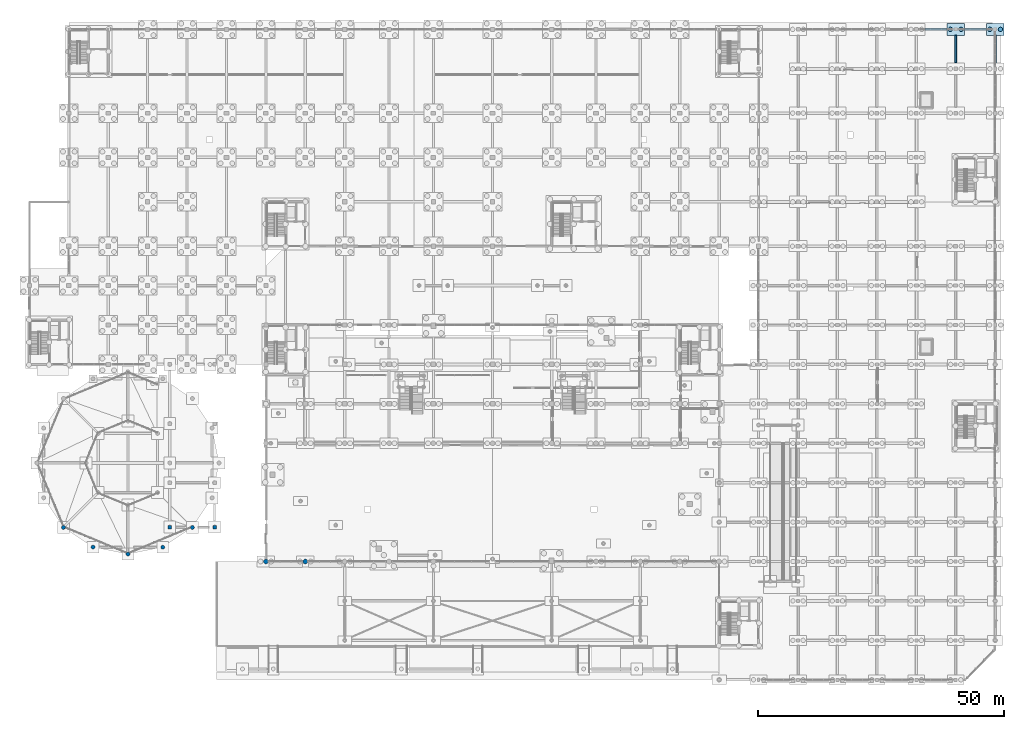
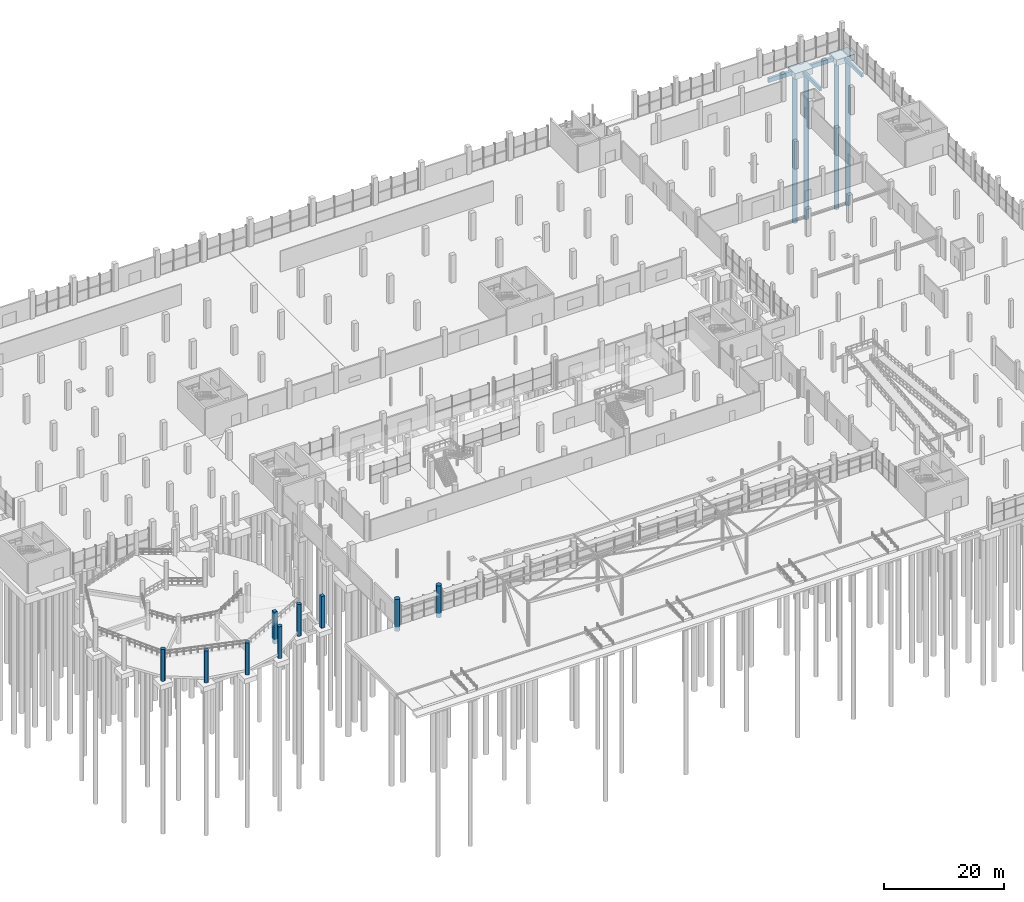
# One storey, part 12 of 98: 9 columns, 6 footings, 4 piles.
"""IFC4 building model written with IfcOpenShell, lengths in metres."""

from ifc_helpers import new_model, si_unit, derived_unit, direction, frame, origin, origin_2d, place, context, subcontext, project, spatial, rectangle, circle, extrude, material, layer, layer_set, material_profile, profile_set, type_object, element, save


model = new_model("IFC4")

# Units and contexts
model_context = context("Model", 3, precision=1e-05, world=origin(), true_north=direction((0.0, 1.0)))
body_context = subcontext(model_context, "Body", "Model", "MODEL_VIEW")
ifc_project = project(units=[si_unit("LENGTHUNIT", "METRE"), si_unit("AREAUNIT", "SQUARE_METRE"), si_unit("VOLUMEUNIT", "CUBIC_METRE"), si_unit("PLANEANGLEUNIT", "RADIAN"), si_unit("MASSUNIT", "GRAM", prefix="KILO"), si_unit("THERMODYNAMICTEMPERATUREUNIT", "KELVIN"), derived_unit("THERMALTRANSMITTANCEUNIT", [(si_unit("POWERUNIT", "WATT"), 1), (si_unit("AREAUNIT", "SQUARE_METRE"), -1), (si_unit("THERMODYNAMICTEMPERATUREUNIT", "KELVIN"), -1)])], contexts=[model_context])

# Site, building, storey
site_placement = place(None, origin())
site = spatial("IfcSite", under=ifc_project, at=site_placement, CompositionType="ELEMENT")
building_placement = place(site_placement, origin())
building = spatial("IfcBuilding", under=site, at=building_placement, Name="Haiyu Intermodal Mobility Hub", CompositionType="ELEMENT")
storey_placement = place(building_placement, origin())
storey = spatial("IfcBuildingStorey", under=building, at=storey_placement, Name="L00", CompositionType="ELEMENT", Elevation=0.0)

# Footings
ifc_material = material(Name="Concrete C40", Category="concrete")
ifc_layer = layer(ifc_material, 1.199951171875)
ifc_layer_set = layer_set([ifc_layer], Name="Concrete C40")
footing_type_1 = type_object("IfcFootingType", Name="CAP-PC12", PredefinedType="PILE_CAP", material=ifc_layer_set)
for number, where, z_axis, x_axis, name in (
    (1, (202.0, 148.0, -2.10009765625), (0.0, 0.0, 1.0), (1.0, 0.0, 0.0), "Pile Cap CAP-V6-23S"),
    (2, (210.0, 148.0, -2.10009765625), (0.0, 0.0, 1.0), (1.0, 0.0, 0.0), "Pile Cap CAP-V6-24S"),
):
    element("IfcFooting", number, at=place(storey_placement, frame(where, z_axis=z_axis, x_axis=x_axis)), inside=storey, type_object=footing_type_1, Name=name, PredefinedType="PILE_CAP", context=body_context, shape_type="SweptSolid", body=[
        extrude(rectangle(XDim=3.5, YDim=2.39990234375, at=origin_2d()), origin(), (0.0, 0.0, 1.0), 1.199951171875),
    ])
ifc_material_profile_1 = material_profile(ifc_material, rectangle(XDim=0.5, YDim=0.85009765625, at=origin_2d()), Name="FB500x850")
ifc_profile_set_1 = profile_set([ifc_material_profile_1], Name="Concrete C40")
footing_type_2 = type_object("IfcFootingType", Name="FBM-FB01", PredefinedType="FOOTING_BEAM", material=ifc_profile_set_1)
for number, where, z_axis, x_axis, name in (
    (3, (195.780029296875, 148.0, -1.324951171875), (1.0, 0.0, 0.0), (0.0, 1.0, 0.0), "Foundation Tie Beam FBM-X-227"),
    (4, (203.780029296875, 148.0, -1.324951171875), (1.0, 0.0, 0.0), (0.0, 1.0, 0.0), "Foundation Tie Beam FBM-X-228"),
):
    element("IfcFooting", number, at=place(storey_placement, frame(where, z_axis=z_axis, x_axis=x_axis)), inside=storey, type_object=footing_type_2, Name=name, PredefinedType="FOOTING_BEAM", context=body_context, shape_type="SweptSolid", body=[
        extrude(rectangle(XDim=0.5, YDim=0.85009765625, at=origin_2d()), origin(), (0.0, 0.0, 1.0), 4.43994140625),
    ])
ifc_material_profile_2 = material_profile(ifc_material, rectangle(XDim=0.39990234375, YDim=0.699951171875, at=origin_2d()), Name="FB400x700")
ifc_profile_set_2 = profile_set([ifc_material_profile_2], Name="Concrete C40")
footing_type_3 = type_object("IfcFootingType", Name="FBM-FB03", PredefinedType="FOOTING_BEAM", material=ifc_profile_set_2)
for number, where, z_axis, x_axis, name in (
    (5, (202.0, 141.22998046875, -1.25), (0.0, 1.0, 0.0), (-1.0, 0.0, 0.0), "Foundation Tie Beam FBM-Y-437"),
    (6, (210.0, 141.22998046875, -1.25), (0.0, 1.0, 0.0), (-1.0, 0.0, 0.0), "Foundation Tie Beam FBM-Y-446"),
):
    element("IfcFooting", number, at=place(storey_placement, frame(where, z_axis=z_axis, x_axis=x_axis)), inside=storey, type_object=footing_type_3, Name=name, PredefinedType="FOOTING_BEAM", context=body_context, shape_type="SweptSolid", body=[
        extrude(rectangle(XDim=0.39990234375, YDim=0.699951171875, at=origin_2d()), origin(), (0.0, 0.0, 1.0), 5.5400390625),
    ])

# Piles
ifc_material_profile_3 = material_profile(ifc_material, circle(Radius=0.449951171875, at=origin_2d()), Name="PILE-D900")
ifc_profile_set_3 = profile_set([ifc_material_profile_3], Name="Concrete C40")
pile_type = type_object("IfcPileType", Name="PILE-PL03", PredefinedType="BORED", material=ifc_profile_set_3)
for number, where, z_axis, x_axis, name in (
    (7, (200.919921875, 148.0, -2.0), (0.0, 0.0, -1.0), (1.0, 0.0, 0.0), "Bored Pile CAP-V6-23S-P1"),
    (8, (203.080078125, 148.0, -2.0), (0.0, 0.0, -1.0), (1.0, 0.0, 0.0), "Bored Pile CAP-V6-23S-P2"),
    (9, (208.919921875, 148.0, -2.0), (0.0, 0.0, -1.0), (1.0, 0.0, 0.0), "Bored Pile CAP-V6-24S-P1"),
    (10, (211.080078125, 148.0, -2.0), (0.0, 0.0, -1.0), (1.0, 0.0, 0.0), "Bored Pile CAP-V6-24S-P2"),
):
    element("IfcPile", number, at=place(storey_placement, frame(where, z_axis=z_axis, x_axis=x_axis)), inside=storey, type_object=pile_type, Name=name, PredefinedType="BORED", context=body_context, shape_type="SweptSolid", body=[
        extrude(circle(Radius=0.449951171875, at=origin_2d()), origin(), (0.0, 0.0, 1.0), 30.0),
    ])

# Columns
ifc_material_profile_4 = material_profile(ifc_material, rectangle(XDim=0.699951171875, YDim=0.699951171875, at=origin_2d()), Name="RC700x700")
ifc_profile_set_4 = profile_set([ifc_material_profile_4], Name="Concrete C40")
column_type_1 = type_object("IfcColumnType", Name="COL-CC08", PredefinedType="COLUMN", material=ifc_profile_set_4)
for number, where, z_axis, x_axis, name in (
    (11, (51.60009765625, 47.0, -0.89990234375), (0.0, 0.0, 1.0), (1.0, 0.0, 0.0), "Column V2L-1 L00"),
    (12, (42.5, 47.0, -0.89990234375), (0.0, 0.0, 1.0), (1.0, 0.0, 0.0), "Column V2LW-1 L00"),
):
    element("IfcColumn", number, at=place(storey_placement, frame(where, z_axis=z_axis, x_axis=x_axis)), inside=storey, type_object=column_type_1, Name=name, PredefinedType="COLUMN", context=body_context, shape_type="SweptSolid", body=[
        extrude(rectangle(XDim=0.699951171875, YDim=0.699951171875, at=origin_2d()), origin(), (0.0, 0.0, 1.0), 6.5),
    ])
ifc_material_profile_5 = material_profile(ifc_material, circle(Radius=0.39990234375, at=origin_2d()), Name="RCCOL-D800")
ifc_profile_set_5 = profile_set([ifc_material_profile_5], Name="Concrete C40")
column_type_2 = type_object("IfcColumnType", Name="COL-CR01-EXT", PredefinedType="COLUMN", material=ifc_profile_set_5)
for number, where, z_axis, x_axis, name in (
    (13, (20.9189453125, 46.9189453125, -0.89990234375), (0.0, 0.0, 1.0), (1.0, 0.0, 0.0), "Column V2O-11 L00"),
    (14, (26.919921875, 42.907958984375, -0.89990234375), (0.0, 0.0, 1.0), (1.0, 0.0, 0.0), "Column V2O-12 L00"),
    (15, (34.0, 41.5, -0.89990234375), (0.0, 0.0, 1.0), (1.0, 0.0, 0.0), "Column V2O-13 L00"),
    (16, (41.080078125, 42.907958984375, -0.89990234375), (0.0, 0.0, 1.0), (1.0, 0.0, 0.0), "Column V2O-14 L00"),
    (17, (47.0810546875, 46.9189453125, -0.89990234375), (0.0, 0.0, 1.0), (1.0, 0.0, 0.0), "Column V2O-15 L00"),
):
    element("IfcColumn", number, at=place(storey_placement, frame(where, z_axis=z_axis, x_axis=x_axis)), inside=storey, type_object=column_type_2, Name=name, PredefinedType="COLUMN", context=body_context, shape_type="SweptSolid", body=[
        extrude(circle(Radius=0.39990234375, at=origin_2d()), origin(), (0.0, 0.0, 1.0), 6.5),
    ])
ifc_material_profile_6 = material_profile(ifc_material, circle(Radius=0.47509765625, at=origin_2d()), Name="RCCOL-D950")
ifc_profile_set_6 = profile_set([ifc_material_profile_6], Name="Concrete C40")
column_type_3 = type_object("IfcColumnType", Name="COL-CR03-EXT", PredefinedType="COLUMN", material=ifc_profile_set_6)
for number, where, z_axis, x_axis, name in (
    (18, (62.0, 40.0, -0.89990234375), (0.0, 0.0, 1.0), (1.0, 0.0, 0.0), "Column V1-7D L00"),
    (19, (70.0, 40.0, -0.89990234375), (0.0, 0.0, 1.0), (1.0, 0.0, 0.0), "Column V1-8D L00"),
):
    element("IfcColumn", number, at=place(storey_placement, frame(where, z_axis=z_axis, x_axis=x_axis)), inside=storey, type_object=column_type_3, Name=name, PredefinedType="COLUMN", context=body_context, shape_type="SweptSolid", body=[
        extrude(circle(Radius=0.47509765625, at=origin_2d()), origin(), (0.0, 0.0, 1.0), 6.5),
    ])

save(model, "model.ifc")
